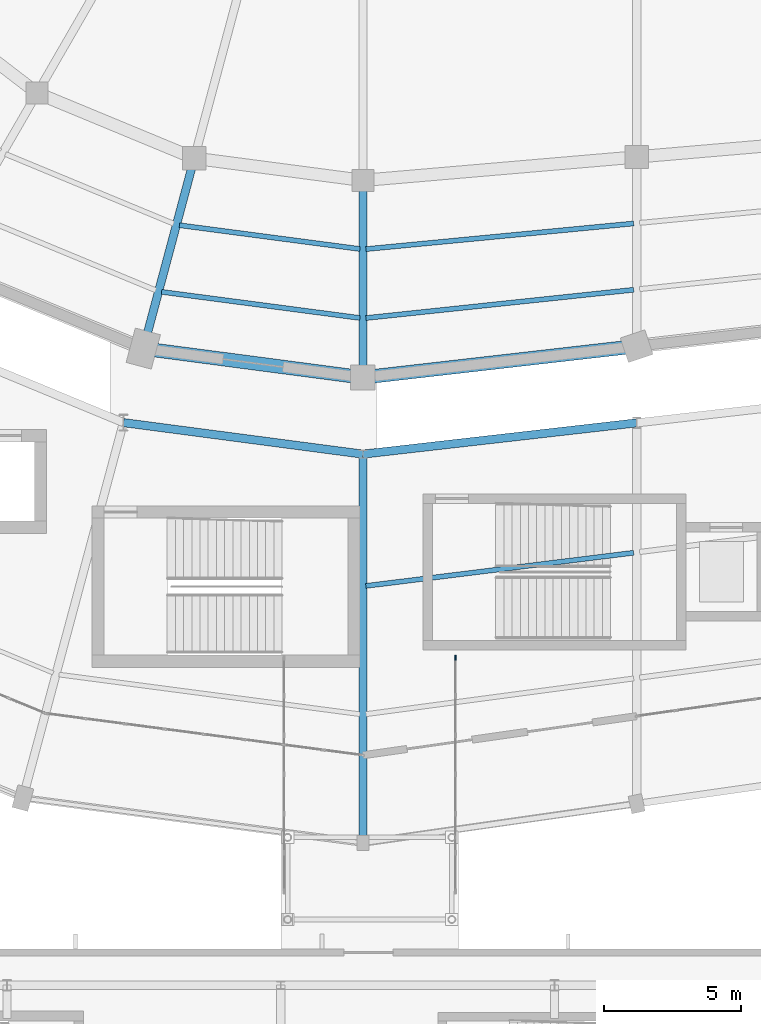
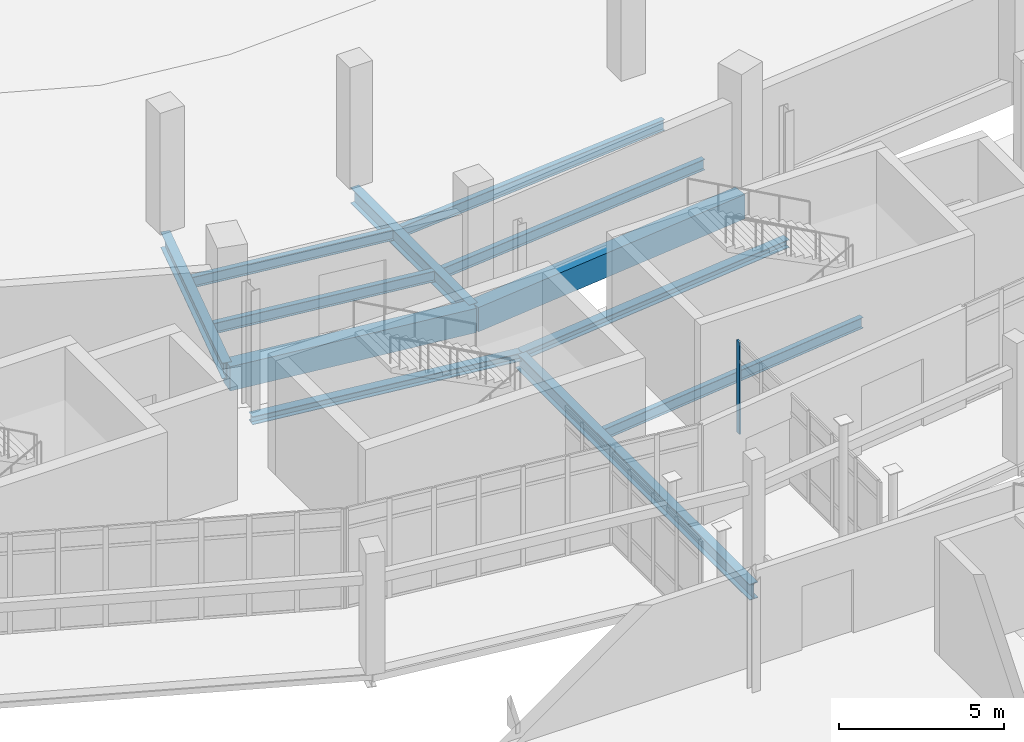
# One storey, part 42 of 122: 12 beams, 1 member, 1 element without a shape of its own.
"""IFC4 building model written with IfcOpenShell, lengths in metres."""

from ifc_helpers import new_model, si_unit, direction, frame, origin, origin_2d, place, context, subcontext, project, spatial, rectangle, i_section, extrude, material, layer, layer_set, material_profile, profile_set, type_object, element, aggregate, save


model = new_model("IFC4")

# Units and contexts
model_context = context("Model", 3, precision=1e-05, world=origin(), true_north=direction((0.0, 1.0)))
body_context = subcontext(model_context, "Body", "Model", "MODEL_VIEW")
ifc_project = project(units=[si_unit("LENGTHUNIT", "METRE"), si_unit("AREAUNIT", "SQUARE_METRE"), si_unit("VOLUMEUNIT", "CUBIC_METRE"), si_unit("PLANEANGLEUNIT", "RADIAN"), si_unit("MASSUNIT", "GRAM", prefix="KILO")], contexts=[model_context])

# Site, building, storey
site_placement = place(None, origin())
site = spatial("IfcSite", under=ifc_project, at=site_placement, CompositionType="ELEMENT")
building_placement = place(site_placement, origin())
building = spatial("IfcBuilding", under=site, at=building_placement, Name="Sohan Crest Arena", CompositionType="ELEMENT")
storey_placement = place(building_placement, origin())
storey = spatial("IfcBuildingStorey", under=building, at=storey_placement, Name="L00", CompositionType="ELEMENT", Elevation=0.0)

# Curtain wall, member
ifc_material_1 = material(Name="Thermally broken anodised aluminium", Category="aluminium")
ifc_layer = layer(ifc_material_1, 0.18994140625, Name="Thermally broken anodised aluminium")
ifc_layer_set = layer_set([ifc_layer], Name="Thermally broken anodised aluminium")
curtain_wall_type = type_object("IfcCurtainWallType", Name="ARC-CW05", PredefinedType="NOTDEFINED", material=ifc_layer_set)
curtain_wall_placement = place(storey_placement, origin())
curtain_wall = element("IfcCurtainWall", 1, at=curtain_wall_placement, inside=storey, type_object=curtain_wall_type, Name="Unitised curtain wall CW-248", PredefinedType="NOTDEFINED")
ifc_material_profile_1 = material_profile(ifc_material_1, rectangle(XDim=0.06494140625, YDim=0.179931640625, at=origin_2d()), Name="ALU-MULL 65x180")
ifc_profile_set_1 = profile_set([ifc_material_profile_1], Name="Thermally broken anodised aluminium")
member_type = type_object("IfcMemberType", Name="ARC-CW-ML02", PredefinedType="MULLION", material=ifc_profile_set_1)
member_placement = place(storey_placement, frame((101.3798828125, 36.767578125, 0.0), z_axis=(0.0, 0.0, 1.0), x_axis=(-1.0, 0.0, 0.0)))
member = element("IfcMember", 2, at=member_placement, type_object=member_type, Name="CW-248 mullion 7", PredefinedType="MULLION", context=body_context, shape_type="SweptSolid", body=[
    extrude(rectangle(XDim=0.06494140625, YDim=0.179931640625, at=origin_2d()), origin(), (0.0, 0.0, 1.0), 3.39990234375),
])
aggregate(curtain_wall, [member])

# Beams
ifc_material_2 = material(Name="Steel S355", Category="steel")
ifc_material_profile_2 = material_profile(ifc_material_2, i_section(OverallWidth=0.179931640625, OverallDepth=0.39990234375, WebThickness=0.008544921875, FlangeThickness=0.013427734375, at=origin_2d()), Name="IPE 400")
ifc_profile_set_2 = profile_set([ifc_material_profile_2], Name="Steel S355")
beam_type_1 = type_object("IfcBeamType", Name="STR-BM-B03", PredefinedType="JOIST", material=ifc_profile_set_2)
beam_1_placement = place(storey_placement, frame((91.297119140625, 52.56298828125, -0.449951171875), z_axis=(0.99142966471, -0.130641570465, 0.0), x_axis=(0.130641570465, 0.99142966471, 0.0)))
element("IfcBeam", 3, at=beam_1_placement, inside=storey, type_object=beam_type_1, Name="Structural beam J-L00-0304", PredefinedType="JOIST", context=body_context, shape_type="SweptSolid", body=[
    extrude(i_section(OverallWidth=0.179931640625, OverallDepth=0.39990234375, WebThickness=0.008544921875, FlangeThickness=0.013427734375, at=origin_2d()), origin(), (0.0, 0.0, 1.0), 6.65087890625),
])
beam_2_placement = place(storey_placement, frame((90.64501953125, 50.1279296875, -0.449951171875), z_axis=(0.991446789819, -0.13051154339, 0.0), x_axis=(0.13051154339, 0.991446789819, 0.0)))
element("IfcBeam", 4, at=beam_2_placement, inside=storey, type_object=beam_type_1, Name="Structural beam J-L00-0305", PredefinedType="JOIST", context=body_context, shape_type="SweptSolid", body=[
    extrude(i_section(OverallWidth=0.179931640625, OverallDepth=0.39990234375, WebThickness=0.008544921875, FlangeThickness=0.013427734375, at=origin_2d()), origin(), (0.0, 0.0, 1.0), 7.30859375),
])
beam_3_placement = place(storey_placement, frame((98.10888671875, 51.68994140625, -0.449951171875), z_axis=(0.995443739336, 0.095350730547, 0.0), x_axis=(-0.095350730547, 0.995443739336, 0.0)))
element("IfcBeam", 5, at=beam_3_placement, inside=storey, type_object=beam_type_1, Name="Structural beam J-L00-0326", PredefinedType="JOIST", context=body_context, shape_type="SweptSolid", body=[
    extrude(i_section(OverallWidth=0.179931640625, OverallDepth=0.39990234375, WebThickness=0.008544921875, FlangeThickness=0.013427734375, at=origin_2d()), origin(), (0.0, 0.0, 1.0), 9.826904296875),
])
beam_4_placement = place(storey_placement, frame((98.10888671875, 49.172119140625, -0.449951171875), z_axis=(0.994470991784, 0.105011649352, 0.0), x_axis=(-0.105011649352, 0.994470991784, 0.0)))
element("IfcBeam", 6, at=beam_4_placement, inside=storey, type_object=beam_type_1, Name="Structural beam J-L00-0327", PredefinedType="JOIST", context=body_context, shape_type="SweptSolid", body=[
    extrude(i_section(OverallWidth=0.179931640625, OverallDepth=0.39990234375, WebThickness=0.008544921875, FlangeThickness=0.013427734375, at=origin_2d()), origin(), (0.0, 0.0, 1.0), 9.836669921875),
])
beam_5_placement = place(storey_placement, frame((98.10888671875, 39.385986328125, -0.47509765625), z_axis=(0.992412936892, 0.122949431435, 0.0), x_axis=(-0.122949431435, 0.992412936892, 0.0)))
element("IfcBeam", 7, at=beam_5_placement, inside=storey, type_object=beam_type_1, Name="Structural beam J-L00-0965", PredefinedType="JOIST", context=body_context, shape_type="SweptSolid", body=[
    extrude(i_section(OverallWidth=0.179931640625, OverallDepth=0.39990234375, WebThickness=0.008544921875, FlangeThickness=0.013427734375, at=origin_2d()), origin(), (0.0, 0.0, 1.0), 9.85693359375),
])
ifc_material_profile_3 = material_profile(ifc_material_2, i_section(OverallWidth=0.300048828125, OverallDepth=0.590087890625, WebThickness=0.012939453125, FlangeThickness=0.02490234375, at=origin_2d()), Name="HEA 600")
ifc_profile_set_3 = profile_set([ifc_material_profile_3], Name="Steel S355")
beam_type_2 = type_object("IfcBeamType", Name="STR-BM-B11", PredefinedType="BEAM", material=ifc_profile_set_3)
beam_6_placement = place(storey_placement, frame((91.840087890625, 55.010986328125, -0.544921875), z_axis=(-0.258745124417, -0.965945630245, 0.0), x_axis=(0.965945630245, -0.258745124417, 0.0)))
element("IfcBeam", 8, at=beam_6_placement, inside=storey, type_object=beam_type_2, Name="Structural beam G-L00-0303", PredefinedType="BEAM", context=body_context, shape_type="SweptSolid", body=[
    extrude(i_section(OverallWidth=0.300048828125, OverallDepth=0.590087890625, WebThickness=0.012939453125, FlangeThickness=0.02490234375, at=origin_2d()), origin(), (0.0, 0.0, 1.0), 7.2001953125),
])
beam_7_placement = place(storey_placement, frame((98.0, 54.199951171875, -0.544921875), z_axis=(0.0, -1.0, 0.0), x_axis=(1.0, 0.0, 0.0)))
element("IfcBeam", 9, at=beam_7_placement, inside=storey, type_object=beam_type_2, Name="Structural beam G-L00-0325", PredefinedType="BEAM", context=body_context, shape_type="SweptSolid", body=[
    extrude(i_section(OverallWidth=0.300048828125, OverallDepth=0.590087890625, WebThickness=0.012939453125, FlangeThickness=0.02490234375, at=origin_2d()), origin(), (0.0, 0.0, 1.0), 7.199951171875),
])
beam_8_placement = place(storey_placement, frame((98.0, 44.199951171875, -0.570068359375), z_axis=(0.0, -1.0, 0.0), x_axis=(1.0, 0.0, 0.0)))
element("IfcBeam", 10, at=beam_8_placement, inside=storey, type_object=beam_type_2, Name="Structural beam G-L00-0961", PredefinedType="BEAM", context=body_context, shape_type="SweptSolid", body=[
    extrude(i_section(OverallWidth=0.300048828125, OverallDepth=0.590087890625, WebThickness=0.012939453125, FlangeThickness=0.02490234375, at=origin_2d()), origin(), (0.0, 0.0, 1.0), 14.199951171875),
])
ifc_material_profile_4 = material_profile(ifc_material_2, i_section(OverallWidth=0.300048828125, OverallDepth=0.300048828125, WebThickness=0.010986328125, FlangeThickness=0.01904296875, at=origin_2d()), Name="HEB 300")
ifc_profile_set_4 = profile_set([ifc_material_profile_4], Name="Steel S355")
beam_type_3 = type_object("IfcBeamType", Name="STR-BM-B12", PredefinedType="BEAM", material=ifc_profile_set_4)
beam_9_placement = place(storey_placement, frame((89.251953125, 45.35205078125, -0.425048828125), z_axis=(0.991439032147, -0.130570461953, 0.0), x_axis=(0.130570461953, 0.991439032147, 0.0)))
element("IfcBeam", 11, at=beam_9_placement, inside=storey, type_object=beam_type_3, Name="Structural beam G-L00-0957", PredefinedType="BEAM", context=body_context, shape_type="SweptSolid", body=[
    extrude(i_section(OverallWidth=0.300048828125, OverallDepth=0.300048828125, WebThickness=0.010986328125, FlangeThickness=0.01904296875, at=origin_2d()), origin(), (0.0, 0.0, 1.0), 8.823486328125),
])
beam_10_placement = place(storey_placement, frame((98.0, 44.199951171875, -0.425048828125), z_axis=(0.99353032697, 0.113567114035, 0.0), x_axis=(-0.113567114035, 0.99353032697, 0.0)))
element("IfcBeam", 12, at=beam_10_placement, inside=storey, type_object=beam_type_3, Name="Structural beam G-L00-0962", PredefinedType="BEAM", context=body_context, shape_type="SweptSolid", body=[
    extrude(i_section(OverallWidth=0.300048828125, OverallDepth=0.300048828125, WebThickness=0.010986328125, FlangeThickness=0.01904296875, at=origin_2d()), origin(), (0.0, 0.0, 1.0), 10.065185546875),
])
ifc_material_3 = material(Name="Concrete C40/50", Category="concrete")
ifc_material_profile_5 = material_profile(ifc_material_3, rectangle(XDim=0.5, YDim=0.89990234375, at=origin_2d()), Name="RC-BM 500x900")
ifc_profile_set_5 = profile_set([ifc_material_profile_5], Name="Concrete C40/50")
beam_type_4 = type_object("IfcBeamType", Name="STR-BM-TB03", PredefinedType="BEAM", material=ifc_profile_set_5)
beam_11_placement = place(storey_placement, frame((89.97705078125, 48.055908203125, -0.699951171875), z_axis=(0.99145018748, -0.130485730048, 0.0), x_axis=(0.130485730048, 0.99145018748, 0.0)))
element("IfcBeam", 13, at=beam_11_placement, inside=storey, type_object=beam_type_4, Name="Structural beam TB-L00-0302", PredefinedType="BEAM", context=body_context, shape_type="SweptSolid", body=[
    extrude(rectangle(XDim=0.5, YDim=0.89990234375, at=origin_2d()), origin(), (0.0, 0.0, 1.0), 8.092041015625),
])
beam_12_placement = place(storey_placement, frame((98.0, 47.0, -0.699951171875), z_axis=(0.99353032697, 0.113567114035, 0.0), x_axis=(-0.113567114035, 0.99353032697, 0.0)))
element("IfcBeam", 14, at=beam_12_placement, inside=storey, type_object=beam_type_4, Name="Structural beam TB-L00-0324", PredefinedType="BEAM", context=body_context, shape_type="SweptSolid", body=[
    extrude(rectangle(XDim=0.5, YDim=0.89990234375, at=origin_2d()), origin(), (0.0, 0.0, 1.0), 10.065185546875),
])

save(model, "model.ifc")
